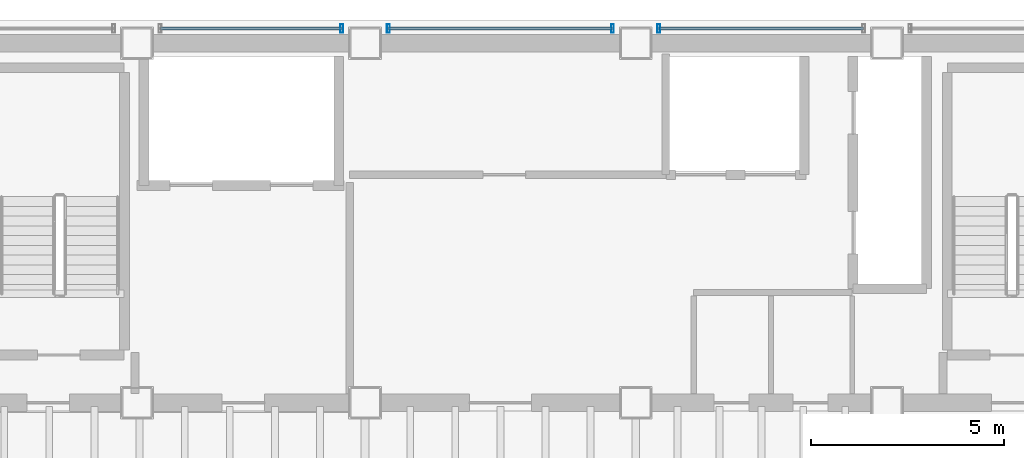
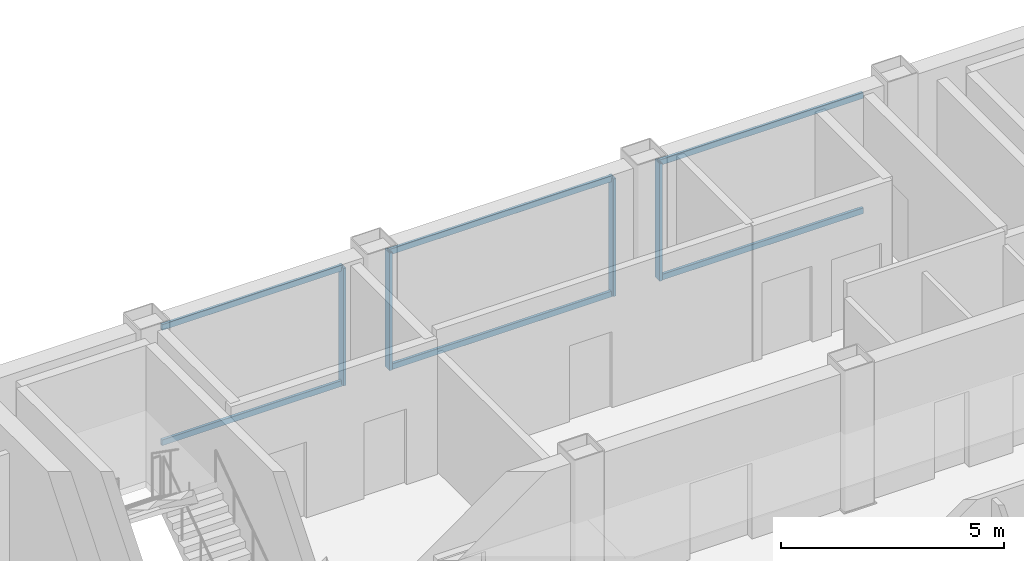
# One storey, part 9 of 17: 10 members, 3 elements without a shape of their own.
"""IFC4 building model written with IfcOpenShell, lengths in metres."""

import ifcopenshell
import ifcopenshell.guid

model = None  # the IFC model being written
_history = None  # IfcOwnerHistory: only IFC2X3 demands one
_inside = {}  # id of a spatial element -> (the spatial element, [elements in it])
_under = {}  # id of a project, library or spatial element -> (it, [spatial elements below it])
_declared = {}  # id of a project -> (the project, [libraries it declares])
_typed = {}  # id of a type object -> (the type object, [elements of that type])
_made_of = {}  # id of a material, layer set ... -> (it, [elements and type objects made of it])


def new_model(schema):
    """Start an empty IFC model of exactly this schema.

    Asked for "IFC4X3", IfcOpenShell would pick the latest addendum, in which some entities
    have other attributes; the version numbers below select the first issue.
    IFC2X3 requires an IfcOwnerHistory on every rooted entity: one is made here for all.
    """
    global model, _history
    if schema == "IFC4X3":
        model = ifcopenshell.file(schema_version=(4, 3, 0, 0))
    else:
        model = ifcopenshell.file(schema=schema)
    _inside.clear()
    _under.clear()
    _declared.clear()
    _typed.clear()
    _made_of.clear()
    _history = None
    if model.schema == "IFC2X3":
        org = make("IfcOrganization", Name="unknown")
        user = make(
            "IfcPersonAndOrganization",
            ThePerson=make("IfcPerson", FamilyName="unknown"),
            TheOrganization=org,
        )
        app = make(
            "IfcApplication",
            ApplicationDeveloper=org,
            Version="unknown",
            ApplicationFullName="unknown",
            ApplicationIdentifier="unknown",
        )
        _history = make(
            "IfcOwnerHistory",
            OwningUser=user,
            OwningApplication=app,
            ChangeAction="ADDED",
            CreationDate=0,
        )
    return model


def make(cls, **values):
    """One entity of the class cls with the attributes given. An attribute that is None is left unset."""
    return model.create_entity(
        cls, **{name: value for name, value in values.items() if value is not None}
    )


def rooted(cls, **values):
    """An entity with a GlobalId (a new one), such as an element, a storey or a relation."""
    return make(cls, GlobalId=ifcopenshell.guid.new(), OwnerHistory=_history, **values)


def si_unit(unit_type, name, prefix=None):
    """IfcSIUnit, for example si_unit("LENGTHUNIT", "METRE", prefix="MILLI")."""
    return make("IfcSIUnit", UnitType=unit_type, Prefix=prefix, Name=name)


def assignment(units):
    """IfcUnitAssignment: the units of a project."""
    return None if units is None else make("IfcUnitAssignment", Units=units)


def point(xyz):
    """IfcCartesianPoint."""
    return None if xyz is None else make("IfcCartesianPoint", Coordinates=xyz)


def direction(xyz):
    """IfcDirection."""
    return None if xyz is None else make("IfcDirection", DirectionRatios=xyz)


def frame(location, z_axis=None, x_axis=None):
    """IfcAxis2Placement3D, a coordinate frame: its origin and axes. An axis left out is left unset."""
    return make(
        "IfcAxis2Placement3D",
        Location=point(location),
        Axis=direction(z_axis),
        RefDirection=direction(x_axis),
    )


def frame_2d(location, x_axis=None):
    """IfcAxis2Placement2D, a coordinate frame in the plane: its origin and x axis."""
    return make(
        "IfcAxis2Placement2D", Location=point(location), RefDirection=direction(x_axis)
    )


def origin():
    """The frame at (0, 0, 0) with its axes left unset."""
    return frame((0.0, 0.0, 0.0))


def origin_2d():
    """The frame at (0, 0) in the plane with its x axis left unset."""
    return frame_2d((0.0, 0.0))


def place(relative_to, where):
    """IfcLocalPlacement: puts the frame where relative to a parent placement (None: the world)."""
    return make(
        "IfcLocalPlacement", PlacementRelTo=relative_to, RelativePlacement=where
    )


def context(
    kind, dimensions, precision=None, world=None, true_north=None, identifier=None
):
    """IfcGeometricRepresentationContext, for example the 3D "Model" context."""
    return make(
        "IfcGeometricRepresentationContext",
        ContextIdentifier=identifier,
        ContextType=kind,
        CoordinateSpaceDimension=dimensions,
        Precision=precision,
        WorldCoordinateSystem=world,
        TrueNorth=true_north,
    )


def subcontext(parent, identifier, kind, view, scale=None):
    """IfcGeometricRepresentationSubContext, for example "Body" below "Model"."""
    return make(
        "IfcGeometricRepresentationSubContext",
        ContextIdentifier=identifier,
        ContextType=kind,
        ParentContext=parent,
        TargetScale=scale,
        TargetView=view,
    )


def project(units=None, contexts=None):
    """IfcProject with its units and contexts."""
    return rooted(
        "IfcProject",
        Name="project",
        RepresentationContexts=contexts,
        UnitsInContext=assignment(units),
    )


def spatial(cls, under=None, at=None, **own):
    """A site, building, storey or space (cls), placed at a placement, below another one or the project."""
    s = rooted(cls, ObjectPlacement=at, **own)
    if under is not None:
        _under.setdefault(under.id(), (under, []))[1].append(s)
    return s


def profile(cls, at=None, kind="AREA", **sizes):
    """A parametric profile (cls). Its sizes go by their IFC names, for example OverallWidth=200.0."""
    return make(cls, ProfileType=kind, Position=at, **sizes)


def hollow_rectangle(**sizes):
    """IfcRectangleHollowProfileDef."""
    return profile("IfcRectangleHollowProfileDef", **sizes)


def extrude(swept, where, along, depth):
    """IfcExtrudedAreaSolid: the profile swept, set in the frame where, extruded along a direction by depth."""
    return make(
        "IfcExtrudedAreaSolid",
        SweptArea=swept,
        Position=where,
        ExtrudedDirection=direction(along),
        Depth=depth,
    )


def shape(context_of_items, identifier, shape_type, items):
    """IfcShapeRepresentation: the items that make up one representation, for example the "Body"."""
    return make(
        "IfcShapeRepresentation",
        ContextOfItems=context_of_items,
        RepresentationIdentifier=identifier,
        RepresentationType=shape_type,
        Items=items,
    )


def material(Name=None, Category=None):
    """IfcMaterial."""
    return make("IfcMaterial", Name=Name, Category=Category)


def material_profile(
    of_material, cross_section, Name=None, Category=None, Priority=None
):
    """IfcMaterialProfile: a cross section and its material."""
    return make(
        "IfcMaterialProfile",
        Name=Name,
        Material=of_material,
        Profile=cross_section,
        Priority=Priority,
        Category=Category,
    )


def profile_set(profiles, Name=None, composite=None):
    """IfcMaterialProfileSet."""
    return make(
        "IfcMaterialProfileSet",
        Name=Name,
        MaterialProfiles=profiles,
        CompositeProfile=composite,
    )


def made_of(thing, what):
    """Note that an element or type object is made of a material, layer set ...; save() writes the relation."""
    if what is not None:
        _made_of.setdefault(what.id(), (what, []))[1].append(thing)
    return thing


def type_object(cls, material=None, **own):
    """A type object (cls), such as IfcWallType, which elements share."""
    return made_of(rooted(cls, **own), material)


def element(
    cls,
    number,
    at=None,
    inside=None,
    cuts=None,
    type_object=None,
    material=None,
    context=None,
    identifier="Body",
    shape_type=None,
    held_by="IfcProductDefinitionShape",
    body=None,
    shapes=None,
    **own,
):
    """One element of the class cls, such as IfcWall. Its Tag is "e" and its number.

    at: its placement. inside: the storey or other place that contains it. cuts: it is an
    opening in that element (IfcRelVoidsElement). A single representation is given by context,
    identifier, shape_type and body (its items); several are given by shapes. held_by: the class
    of the entity that holds the representations. save() writes the other relations.
    """
    e = rooted(cls, Tag="e%d" % number, ObjectPlacement=at, **own)
    if body is not None:
        shapes = [shape(context, identifier, shape_type, body)]
    if shapes is not None:
        e.Representation = make(held_by, Representations=shapes)
    if inside is not None:
        _inside.setdefault(inside.id(), (inside, []))[1].append(e)
    if cuts is not None:
        rooted(
            "IfcRelVoidsElement", RelatingBuildingElement=cuts, RelatedOpeningElement=e
        )
    if type_object is not None:
        _typed.setdefault(type_object.id(), (type_object, []))[1].append(e)
    return made_of(e, material)


def aggregate(whole, parts):
    """IfcRelAggregates: a whole, such as a stair, and the parts it consists of."""
    return rooted("IfcRelAggregates", RelatingObject=whole, RelatedObjects=parts)


def save(model, path):
    """Write the relations noted so far, then the file.

    IfcRelAggregates (storeys below a building ...), IfcRelContainedInSpatialStructure (elements
    in a storey), IfcRelDefinesByType, IfcRelAssociatesMaterial and IfcRelDeclares: one each for
    every whole, place, type object, material and project.
    """
    for whole, parts in _under.values():
        aggregate(whole, parts)
    for where, things in _inside.values():
        rooted(
            "IfcRelContainedInSpatialStructure",
            RelatedElements=things,
            RelatingStructure=where,
        )
    for kind, things in _typed.values():
        rooted("IfcRelDefinesByType", RelatedObjects=things, RelatingType=kind)
    for what, things in _made_of.values():
        rooted("IfcRelAssociatesMaterial", RelatedObjects=things, RelatingMaterial=what)
    for by, libraries in _declared.values():
        rooted("IfcRelDeclares", RelatingContext=by, RelatedDefinitions=libraries)
    model.write(path)


model = new_model("IFC4")

# Units and contexts
model_context = context("Model", 3, precision=1e-05, world=origin(), true_north=direction((0.0, 1.0)))
body_context = subcontext(model_context, "Body", "Model", "MODEL_VIEW")
ifc_project = project(units=[si_unit("LENGTHUNIT", "METRE"), si_unit("AREAUNIT", "SQUARE_METRE"), si_unit("VOLUMEUNIT", "CUBIC_METRE"), si_unit("PLANEANGLEUNIT", "RADIAN"), si_unit("MASSUNIT", "GRAM", prefix="KILO")], contexts=[model_context])

# Site, building, storey
site_placement = place(None, origin())
site = spatial("IfcSite", under=ifc_project, at=site_placement, CompositionType="ELEMENT")
building_placement = place(site_placement, origin())
building = spatial("IfcBuilding", under=site, at=building_placement, Name="Noeulbin Bourse Tower", CompositionType="ELEMENT")
storey_placement = place(building_placement, frame((0.0, 0.0, 242.300048828125)))
storey = spatial("IfcBuildingStorey", under=building, at=storey_placement, Name="L60", CompositionType="ELEMENT", Elevation=242.300048828125)

# Curtain wall, member
ifc_material_1 = material(Name="High-Selectivity Low-Iron Glazing", Category="glass")
curtain_wall_type = type_object("IfcCurtainWallType", Name="CW-SYS-4", PredefinedType="NOTDEFINED", material=ifc_material_1)
curtain_wall_1_placement = place(storey_placement, origin())
curtain_wall_1 = element("IfcCurtainWall", 1, at=curtain_wall_1_placement, inside=storey, type_object=curtain_wall_type, Name="Unitised Curtain Wall CW-L60-N-S3", PredefinedType="NOTDEFINED")
ifc_material_2 = material(Name="Anodised Aluminium 6063-T6", Category="aluminium")
ifc_material_profile_1 = material_profile(ifc_material_2, hollow_rectangle(XDim=0.074951171875, YDim=0.219970703125, WallThickness=0.0048828125, InnerFilletRadius=0.00244140625, OuterFilletRadius=0.0048828125, at=origin_2d()), Name="ALU-MULL-75x220x5", Category="LoadBearing")
ifc_profile_set_1 = profile_set([ifc_material_profile_1], Name="Anodised Aluminium 6063-T6")
member_type_1 = type_object("IfcMemberType", Name="CW-SYS-4-MUL", PredefinedType="MULLION", material=ifc_profile_set_1)
member_1_placement = place(storey_placement, frame((23.39990234375, 38.679931640625, -0.02001953125), z_axis=(0.0, 0.0, 1.0), x_axis=(1.0, 0.0, 0.0)))
member_1 = element("IfcMember", 2, at=member_1_placement, type_object=member_type_1, Name="Curtain Wall Mullion CW-L60-N-S3-M01", PredefinedType="MULLION", context=body_context, shape_type="SweptSolid", body=[
    extrude(hollow_rectangle(XDim=0.074951171875, YDim=0.219970703125, WallThickness=0.0048828125, InnerFilletRadius=0.00244140625, OuterFilletRadius=0.0048828125, at=origin_2d()), origin(), (0.0, 0.0, 1.0), 3.219970703125),
])

# Curtain wall, members
curtain_wall_2_placement = place(storey_placement, origin())
curtain_wall_2 = element("IfcCurtainWall", 3, at=curtain_wall_2_placement, inside=storey, type_object=curtain_wall_type, Name="Unitised Curtain Wall CW-L60-N-S4", PredefinedType="NOTDEFINED")
member_2_placement = place(storey_placement, frame((24.60009765625, 38.679931640625, -0.02001953125), z_axis=(0.0, 0.0, 1.0), x_axis=(1.0, 0.0, 0.0)))
member_2 = element("IfcMember", 4, at=member_2_placement, type_object=member_type_1, Name="Curtain Wall Mullion CW-L60-N-S4-M00", PredefinedType="MULLION", context=body_context, shape_type="SweptSolid", body=[
    extrude(hollow_rectangle(XDim=0.074951171875, YDim=0.219970703125, WallThickness=0.0048828125, InnerFilletRadius=0.00244140625, OuterFilletRadius=0.0048828125, at=origin_2d()), origin(), (0.0, 0.0, 1.0), 3.219970703125),
])
member_3_placement = place(storey_placement, frame((30.39990234375, 38.679931640625, -0.02001953125), z_axis=(0.0, 0.0, 1.0), x_axis=(1.0, 0.0, 0.0)))
member_3 = element("IfcMember", 5, at=member_3_placement, type_object=member_type_1, Name="Curtain Wall Mullion CW-L60-N-S4-M01", PredefinedType="MULLION", context=body_context, shape_type="SweptSolid", body=[
    extrude(hollow_rectangle(XDim=0.074951171875, YDim=0.219970703125, WallThickness=0.0048828125, InnerFilletRadius=0.00244140625, OuterFilletRadius=0.0048828125, at=origin_2d()), origin(), (0.0, 0.0, 1.0), 3.219970703125),
])

# Curtain wall, member
curtain_wall_3_placement = place(storey_placement, origin())
curtain_wall_3 = element("IfcCurtainWall", 6, at=curtain_wall_3_placement, inside=storey, type_object=curtain_wall_type, Name="Unitised Curtain Wall CW-L60-N-S5", PredefinedType="NOTDEFINED")
member_4_placement = place(storey_placement, frame((31.60009765625, 38.679931640625, -0.02001953125), z_axis=(0.0, 0.0, 1.0), x_axis=(1.0, 0.0, 0.0)))
member_4 = element("IfcMember", 7, at=member_4_placement, type_object=member_type_1, Name="Curtain Wall Mullion CW-L60-N-S5-M00", PredefinedType="MULLION", context=body_context, shape_type="SweptSolid", body=[
    extrude(hollow_rectangle(XDim=0.074951171875, YDim=0.219970703125, WallThickness=0.0048828125, InnerFilletRadius=0.00244140625, OuterFilletRadius=0.0048828125, at=origin_2d()), origin(), (0.0, 0.0, 1.0), 3.219970703125),
])

# Member
ifc_material_profile_2 = material_profile(ifc_material_2, hollow_rectangle(XDim=0.074951171875, YDim=0.159912109375, WallThickness=0.0048828125, InnerFilletRadius=0.00244140625, OuterFilletRadius=0.0048828125, at=origin_2d()), Name="ALU-TRAN-75x160x5", Category="LoadBearing")
ifc_profile_set_2 = profile_set([ifc_material_profile_2], Name="Anodised Aluminium 6063-T6")
member_type_2 = type_object("IfcMemberType", Name="CW-SYS-4-TRN", PredefinedType="USERDEFINED", material=ifc_profile_set_2)
member_5_placement = place(storey_placement, frame((18.7099609375, 38.679931640625, 0.010009765625), z_axis=(1.0, 0.0, 0.0), x_axis=(0.0, 1.0, 0.0)))
member_5 = element("IfcMember", 8, at=member_5_placement, type_object=member_type_2, Name="Curtain Wall Transom CW-L60-N-S3-T00", ObjectType="TRANSOM", PredefinedType="USERDEFINED", context=body_context, shape_type="SweptSolid", body=[
    extrude(hollow_rectangle(XDim=0.074951171875, YDim=0.159912109375, WallThickness=0.0048828125, InnerFilletRadius=0.00244140625, OuterFilletRadius=0.0048828125, at=origin_2d()), origin(), (0.0, 0.0, 1.0), 4.679931640625),
])

member_6_placement = place(storey_placement, frame((18.7099609375, 38.679931640625, 3.169921875), z_axis=(1.0, 0.0, 0.0), x_axis=(0.0, 1.0, 0.0)))
member_6 = element("IfcMember", 9, at=member_6_placement, type_object=member_type_2, Name="Curtain Wall Transom CW-L60-N-S3-T01", ObjectType="TRANSOM", PredefinedType="USERDEFINED", context=body_context, shape_type="SweptSolid", body=[
    extrude(hollow_rectangle(XDim=0.074951171875, YDim=0.159912109375, WallThickness=0.0048828125, InnerFilletRadius=0.00244140625, OuterFilletRadius=0.0048828125, at=origin_2d()), origin(), (0.0, 0.0, 1.0), 4.679931640625),
])

aggregate(curtain_wall_1, [member_1, member_5, member_6])

member_7_placement = place(storey_placement, frame((24.610107421875, 38.679931640625, 0.010009765625), z_axis=(1.0, 0.0, 0.0), x_axis=(0.0, 1.0, 0.0)))
member_7 = element("IfcMember", 10, at=member_7_placement, type_object=member_type_2, Name="Curtain Wall Transom CW-L60-N-S4-T00", ObjectType="TRANSOM", PredefinedType="USERDEFINED", context=body_context, shape_type="SweptSolid", body=[
    extrude(hollow_rectangle(XDim=0.074951171875, YDim=0.159912109375, WallThickness=0.0048828125, InnerFilletRadius=0.00244140625, OuterFilletRadius=0.0048828125, at=origin_2d()), origin(), (0.0, 0.0, 1.0), 5.77978515625),
])

member_8_placement = place(storey_placement, frame((24.610107421875, 38.679931640625, 3.169921875), z_axis=(1.0, 0.0, 0.0), x_axis=(0.0, 1.0, 0.0)))
member_8 = element("IfcMember", 11, at=member_8_placement, type_object=member_type_2, Name="Curtain Wall Transom CW-L60-N-S4-T01", ObjectType="TRANSOM", PredefinedType="USERDEFINED", context=body_context, shape_type="SweptSolid", body=[
    extrude(hollow_rectangle(XDim=0.074951171875, YDim=0.159912109375, WallThickness=0.0048828125, InnerFilletRadius=0.00244140625, OuterFilletRadius=0.0048828125, at=origin_2d()), origin(), (0.0, 0.0, 1.0), 5.77978515625),
])

aggregate(curtain_wall_2, [member_2, member_3, member_7, member_8])

member_9_placement = place(storey_placement, frame((31.610107421875, 38.679931640625, 0.010009765625), z_axis=(1.0, 0.0, 0.0), x_axis=(0.0, 1.0, 0.0)))
member_9 = element("IfcMember", 12, at=member_9_placement, type_object=member_type_2, Name="Curtain Wall Transom CW-L60-N-S5-T00", ObjectType="TRANSOM", PredefinedType="USERDEFINED", context=body_context, shape_type="SweptSolid", body=[
    extrude(hollow_rectangle(XDim=0.074951171875, YDim=0.159912109375, WallThickness=0.0048828125, InnerFilletRadius=0.00244140625, OuterFilletRadius=0.0048828125, at=origin_2d()), origin(), (0.0, 0.0, 1.0), 5.27978515625),
])

member_10_placement = place(storey_placement, frame((31.610107421875, 38.679931640625, 3.169921875), z_axis=(1.0, 0.0, 0.0), x_axis=(0.0, 1.0, 0.0)))
member_10 = element("IfcMember", 13, at=member_10_placement, type_object=member_type_2, Name="Curtain Wall Transom CW-L60-N-S5-T01", ObjectType="TRANSOM", PredefinedType="USERDEFINED", context=body_context, shape_type="SweptSolid", body=[
    extrude(hollow_rectangle(XDim=0.074951171875, YDim=0.159912109375, WallThickness=0.0048828125, InnerFilletRadius=0.00244140625, OuterFilletRadius=0.0048828125, at=origin_2d()), origin(), (0.0, 0.0, 1.0), 5.27978515625),
])

aggregate(curtain_wall_3, [member_4, member_9, member_10])

save(model, "model.ifc")
